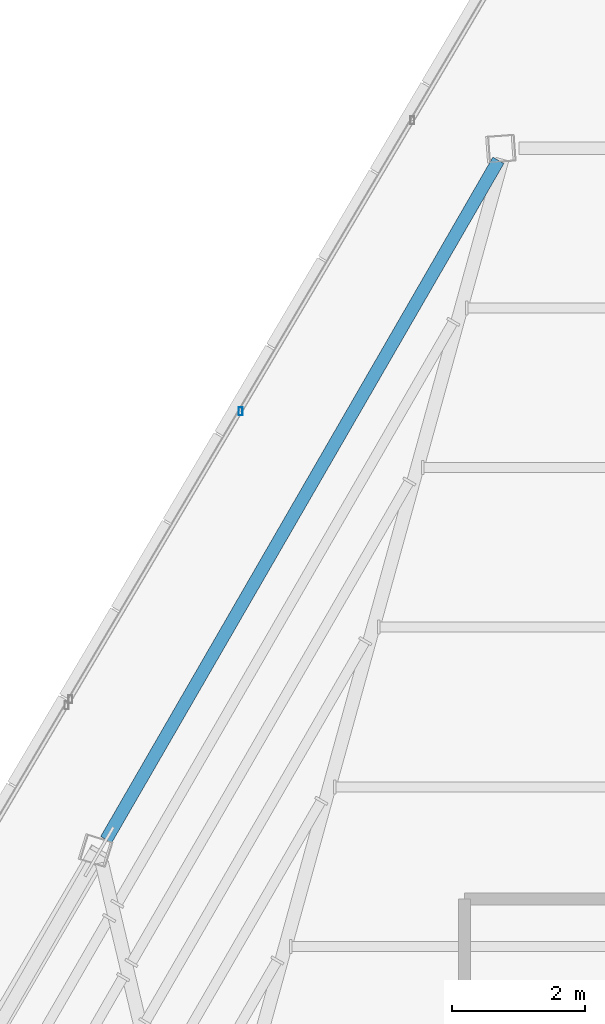
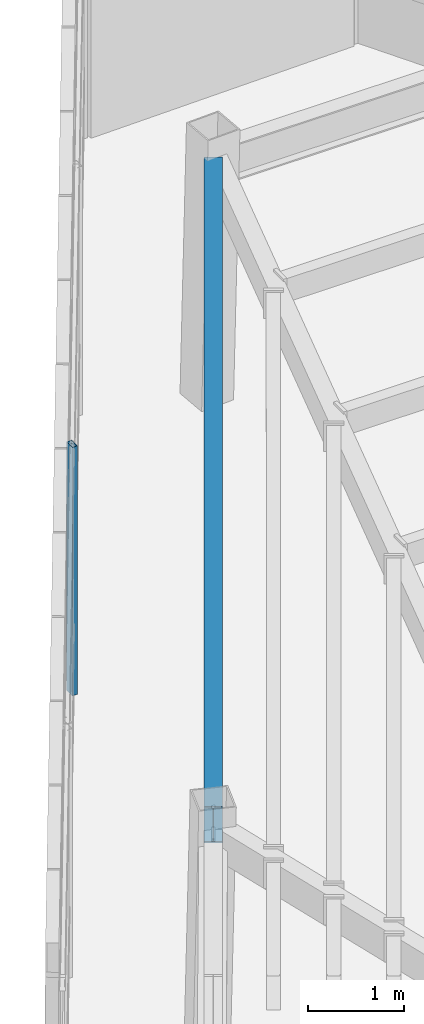
# One storey, part 32 of 47: 1 beam, 1 member, 1 element without a shape of its own.
"""IFC4 building model written with IfcOpenShell, lengths in metres."""

from ifc_helpers import new_model, si_unit, direction, frame, origin, origin_2d, place, context, subcontext, project, spatial, hollow_rectangle, i_section, extrude, source, transform, mapped, material, material_profile, profile_set, type_object, type_shapes, element, aggregate, save


model = new_model("IFC4")

# Units and contexts
model_context = context("Model", 3, precision=1e-05, world=origin(), true_north=direction((0.0, 1.0)))
body_context = subcontext(model_context, "Body", "Model", "MODEL_VIEW")
ifc_project = project(units=[si_unit("LENGTHUNIT", "METRE"), si_unit("AREAUNIT", "SQUARE_METRE"), si_unit("VOLUMEUNIT", "CUBIC_METRE"), si_unit("PLANEANGLEUNIT", "RADIAN"), si_unit("MASSUNIT", "GRAM", prefix="KILO")], contexts=[model_context])

# Site, building, storey
site_placement = place(None, origin())
site = spatial("IfcSite", under=ifc_project, at=site_placement, CompositionType="ELEMENT")
building_placement = place(site_placement, origin())
building = spatial("IfcBuilding", under=site, at=building_placement, Name="Caelisora Broadcast Tower", CompositionType="ELEMENT")
storey_placement = place(building_placement, frame((0.0, 0.0, 293.199951171875)))
storey = spatial("IfcBuildingStorey", under=building, at=storey_placement, Name="L77", CompositionType="ELEMENT", Elevation=293.199951171875)

# Beam
ifc_material_1 = material(Name="Steel Grade 350 (AS/NZS 3679.1)", Category="steel")
ifc_material_profile_1 = material_profile(ifc_material_1, i_section(OverallWidth=0.19091796875, OverallDepth=0.46044921875, WebThickness=0.010009765625, FlangeThickness=0.01611328125, at=origin_2d()), Name="Steel Grade 350 (AS/NZS 3679.1)")
ifc_profile_set_1 = profile_set([ifc_material_profile_1], Name="Steel Grade 350 (AS/NZS 3679.1)")
beam_type = type_object("IfcBeamType", Name="PG06", PredefinedType="BEAM", material=ifc_profile_set_1)
shared_shape_1 = source(origin(), body_context, "Body", "SweptSolid", [
    extrude(i_section(OverallWidth=0.19091796875, OverallDepth=0.46044921875, WebThickness=0.010009765625, FlangeThickness=0.01611328125, at=origin_2d()), origin(), (0.0, 0.0, 1.0), 11.754150390625),
])
type_shapes(beam_type, [shared_shape_1])
beam_placement = place(storey_placement, frame((35.01025390625, 46.565185546875, 2.919921875), z_axis=(-0.499990349827, -0.866030975243, 0.0), x_axis=(0.866030975243, -0.499990349827, 0.0)))
element("IfcBeam", 1, at=beam_placement, inside=storey, type_object=beam_type, Name="L77 beam PG06", PredefinedType="BEAM", context=body_context, shape_type="MappedRepresentation", body=[
    mapped(shared_shape_1, transform((0.0, 0.0, 0.0), scale=1.0)),
])

# Curtain wall, member
ifc_material_2 = material(Name="Unitised Aluminium Insulated Shadow-Box Spandrel Curtain Wall", Category="aluminium")
curtain_wall_type = type_object("IfcCurtainWallType", Name="CW-SP3", PredefinedType="NOTDEFINED", material=ifc_material_2)
curtain_wall_placement = place(storey_placement, origin())
curtain_wall = element("IfcCurtainWall", 2, at=curtain_wall_placement, inside=storey, type_object=curtain_wall_type, Name="L77 curtain wall CW-SP3", PredefinedType="NOTDEFINED")
ifc_material_3 = material(Name="Aluminium 6063-T6 Anodised Terracotta Bronze", Category="aluminium")
ifc_material_profile_2 = material_profile(ifc_material_3, hollow_rectangle(XDim=0.06005859375, YDim=0.1201171875, WallThickness=0.0029296875, at=origin_2d()), Name="Aluminium 6063-T6 Anodised Terracotta Bronze")
ifc_profile_set_2 = profile_set([ifc_material_profile_2], Name="Aluminium 6063-T6 Anodised Terracotta Bronze")
member_type = type_object("IfcMemberType", Name="CWM-04", PredefinedType="MULLION", material=ifc_profile_set_2)
shared_shape_2 = source(origin(), body_context, "Body", "SweptSolid", [
    extrude(hollow_rectangle(XDim=0.06005859375, YDim=0.1201171875, WallThickness=0.0029296875, at=origin_2d()), origin(), (0.0, 0.0, 1.0), 3.150146484375),
])
type_shapes(member_type, [shared_shape_2])
member_placement = place(storey_placement, frame((31.147216796875, 42.805908203125, 0.0), z_axis=(0.0, 0.0, 1.0), x_axis=(1.0, 0.0, 0.0)))
member = element("IfcMember", 3, at=member_placement, type_object=member_type, Name="L77-CW-B11 mullion #1", PredefinedType="MULLION", context=body_context, shape_type="MappedRepresentation", body=[
    mapped(shared_shape_2, transform((0.0, 0.0, 0.0), scale=1.0)),
])
aggregate(curtain_wall, [member])

save(model, "model.ifc")
